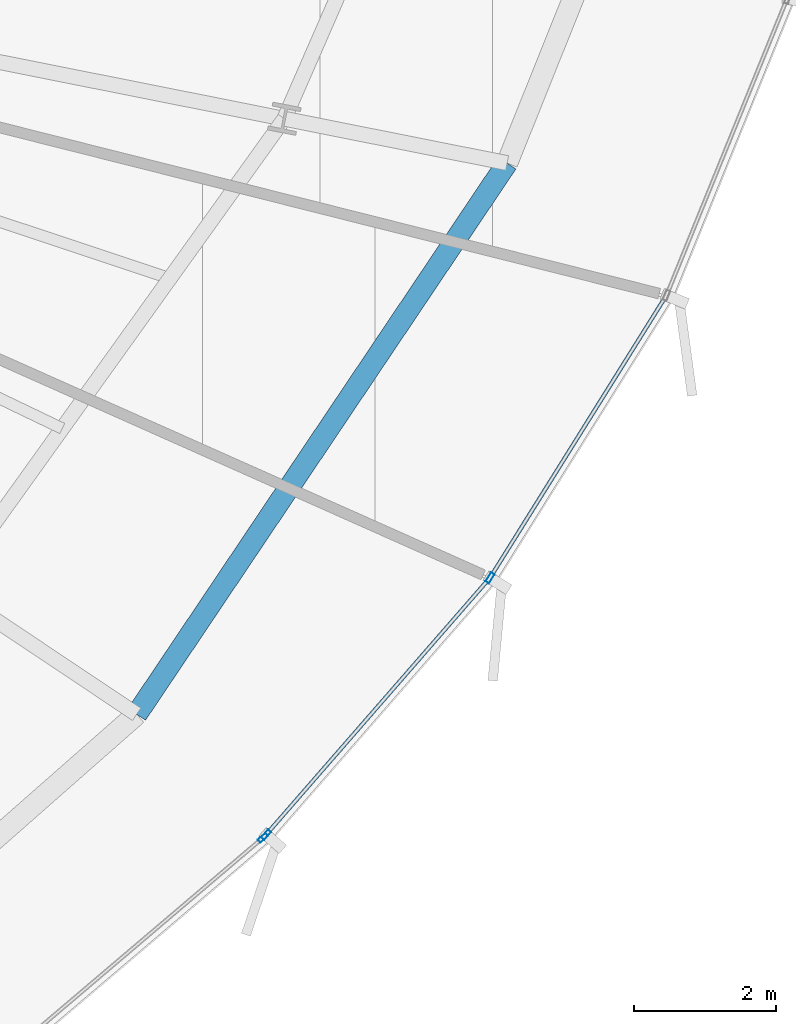
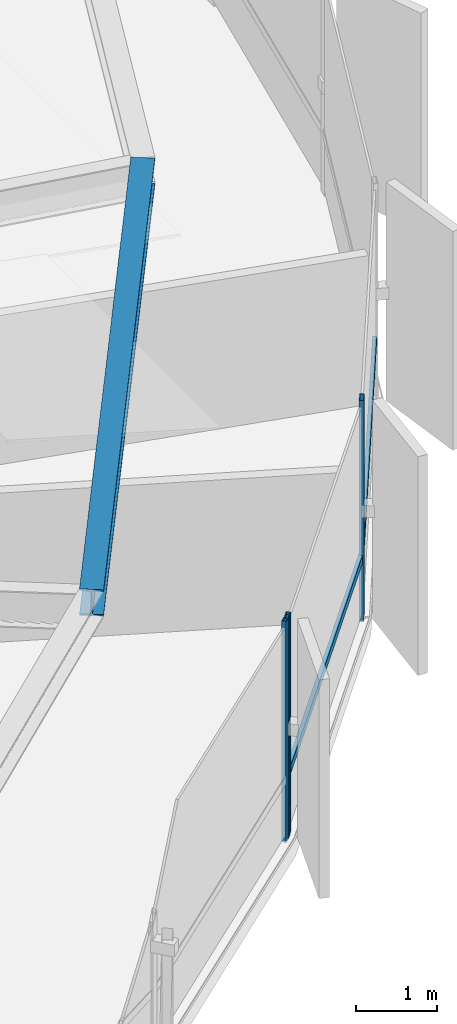
# One storey, part 14 of 33: 5 members, 1 beam, 2 elements without a shape of their own.
"""IFC4 building model written with IfcOpenShell, lengths in metres."""

from ifc_helpers import new_model, si_unit, direction, frame, origin, origin_2d, place, context, subcontext, project, spatial, hollow_rectangle, i_section, extrude, source, transform, mapped, material, layer, layer_set, material_profile, profile_set, type_object, element, aggregate, save


model = new_model("IFC4")

# Units and contexts
model_context = context("Model", 3, precision=1e-05, world=origin(), true_north=direction((0.0, 1.0)))
body_context = subcontext(model_context, "Body", "Model", "MODEL_VIEW")
ifc_project = project(units=[si_unit("LENGTHUNIT", "METRE"), si_unit("AREAUNIT", "SQUARE_METRE"), si_unit("VOLUMEUNIT", "CUBIC_METRE"), si_unit("PLANEANGLEUNIT", "RADIAN"), si_unit("MASSUNIT", "GRAM", prefix="KILO"), si_unit("THERMODYNAMICTEMPERATUREUNIT", "KELVIN")], contexts=[model_context])

# Site, building, storey
site_placement = place(None, origin())
site = spatial("IfcSite", under=ifc_project, at=site_placement, CompositionType="ELEMENT")
building_placement = place(site_placement, origin())
building = spatial("IfcBuilding", under=site, at=building_placement, Name="Kethvar Cultural Tower", CompositionType="ELEMENT")
storey_placement = place(building_placement, frame((0.0, 0.0, 114.39990234375)))
storey = spatial("IfcBuildingStorey", under=building, at=storey_placement, Name="L28", CompositionType="ELEMENT", Elevation=114.39990234375)

# Beam
ifc_material_1 = material(Name="Steel S355J2", Category="steel")
ifc_material_profile_1 = material_profile(ifc_material_1, i_section(OverallWidth=0.300048828125, OverallDepth=0.39990234375, WebThickness=0.013427734375, FlangeThickness=0.02392578125, FilletRadius=0.027099609375, at=origin_2d()), Name="Steel S355J2 — HEB400")
ifc_profile_set_1 = profile_set([ifc_material_profile_1], Name="Steel S355J2 — HEB400")
beam_type = type_object("IfcBeamType", Name="BM-SP400", PredefinedType="SPANDREL", material=ifc_profile_set_1)
shared_shape_1 = source(origin(), body_context, "Body", "SweptSolid", [
    extrude(i_section(OverallWidth=0.300048828125, OverallDepth=0.39990234375, WebThickness=0.013427734375, FlangeThickness=0.02392578125, FilletRadius=0.027099609375, at=origin_2d()), origin(), (0.0, 0.0, 1.0), 9.355224609375),
])
beam_placement = place(storey_placement, frame((65.559326171875, 15.265380859375, 3.148193359375), z_axis=(0.557731714622, 0.830021285573, 0.0), x_axis=(-0.830021285573, 0.557731714622, 0.0)))
element("IfcBeam", 1, at=beam_placement, inside=storey, type_object=beam_type, Name="L28 Perimeter Spandrel Beam SP-15", PredefinedType="SPANDREL", context=body_context, shape_type="MappedRepresentation", body=[
    mapped(shared_shape_1, transform((0.0, 0.0, 0.0), scale=1.0)),
])

# Curtain wall, member
ifc_material_2 = material(Name="Aluminium 6063-T6", Category="aluminium")
ifc_layer = layer(ifc_material_2, 0.179931640625, Name="Aluminium 6063-T6", Category="aluminium")
ifc_layer_set = layer_set([ifc_layer], Name="Aluminium 6063-T6 (180 mm)")
curtain_wall_type = type_object("IfcCurtainWallType", Name="CW-SYS-03-Z2", PredefinedType="NOTDEFINED", material=ifc_layer_set)
curtain_wall_1_placement = place(storey_placement, origin())
curtain_wall_1 = element("IfcCurtainWall", 2, at=curtain_wall_1_placement, inside=storey, type_object=curtain_wall_type, Name="L28 Curtain Wall Run 05", PredefinedType="NOTDEFINED")
ifc_material_profile_2 = material_profile(ifc_material_2, hollow_rectangle(XDim=0.06005859375, YDim=0.14990234375, WallThickness=0.0048828125, at=origin_2d()), Name="Aluminium 6063-T6 — RHS150x60x5")
ifc_profile_set_2 = profile_set([ifc_material_profile_2], Name="Aluminium 6063-T6 — RHS150x60x5")
member_type_1 = type_object("IfcMemberType", Name="CW-SYS-03-Z2-MUL", PredefinedType="MULLION", material=ifc_profile_set_2)
shared_shape_2 = source(origin(), body_context, "Body", "SweptSolid", [
    extrude(hollow_rectangle(XDim=0.06005859375, YDim=0.14990234375, WallThickness=0.0048828125, at=origin_2d()), origin(), (0.0, 0.0, 1.0), 3.35009765625),
])
member_1_placement = place(storey_placement, frame((67.338134765625, 13.526123046875, 0.0), z_axis=(0.0, 0.0, 1.0), x_axis=(-0.647614687225, 0.761967989414, 0.0)))
member_1 = element("IfcMember", 3, at=member_1_placement, type_object=member_type_1, Name="CW-L28-R05 Mullion 7", PredefinedType="MULLION", context=body_context, shape_type="MappedRepresentation", body=[
    mapped(shared_shape_2, transform((0.0, 0.0, 0.0), scale=1.0)),
])
aggregate(curtain_wall_1, [member_1])

# Curtain wall, members
curtain_wall_2_placement = place(storey_placement, origin())
curtain_wall_2 = element("IfcCurtainWall", 4, at=curtain_wall_2_placement, inside=storey, type_object=curtain_wall_type, Name="L28 Curtain Wall Run 06", PredefinedType="NOTDEFINED")
member_2_placement = place(storey_placement, frame((67.381103515625, 13.56884765625, 0.0), z_axis=(0.0, 0.0, 1.0), x_axis=(-0.753907489863, 0.656980590831, 0.0)))
member_2 = element("IfcMember", 5, at=member_2_placement, type_object=member_type_1, Name="CW-L28-R06 Mullion 1", PredefinedType="MULLION", context=body_context, shape_type="MappedRepresentation", body=[
    mapped(shared_shape_2, transform((0.0, 0.0, 0.0), scale=1.0)),
])
member_3_placement = place(storey_placement, frame((70.535888671875, 17.1865234375, 0.0), z_axis=(0.0, 0.0, 1.0), x_axis=(-0.848223777407, 0.529638011703, 0.0)))
member_3 = element("IfcMember", 6, at=member_3_placement, type_object=member_type_1, Name="CW-L28-R06 Mullion 2", PredefinedType="MULLION", context=body_context, shape_type="MappedRepresentation", body=[
    mapped(shared_shape_2, transform((0.0, 0.0, 0.0), scale=1.0)),
])
ifc_material_profile_3 = material_profile(ifc_material_2, hollow_rectangle(XDim=0.054931640625, YDim=0.1201171875, WallThickness=0.00390625, at=origin_2d()), Name="Aluminium 6063-T6 — RHS120x55x4")
ifc_profile_set_3 = profile_set([ifc_material_profile_3], Name="Aluminium 6063-T6 — RHS120x55x4")
member_type_2 = type_object("IfcMemberType", Name="CW-SYS-03-Z2-TRN", PredefinedType="USERDEFINED", material=ifc_profile_set_3)
shared_shape_3 = source(origin(), body_context, "Body", "SweptSolid", [
    extrude(hollow_rectangle(XDim=0.054931640625, YDim=0.1201171875, WallThickness=0.00390625, at=origin_2d()), origin(), (0.0, 0.0, 1.0), 4.770751953125),
])
member_4_placement = place(storey_placement, frame((67.384033203125, 13.572021484375, 0.9501953125), z_axis=(0.656981605154, 0.753906605946, 0.0), x_axis=(-0.753906605946, 0.656981605154, 0.0)))
member_4 = element("IfcMember", 7, at=member_4_placement, type_object=member_type_2, Name="CW-L28-R06 Transom 1", ObjectType="TRANSOM", PredefinedType="USERDEFINED", context=body_context, shape_type="MappedRepresentation", body=[
    mapped(shared_shape_3, transform((0.0, 0.0, 0.0), scale=1.0)),
])
shared_shape_4 = source(origin(), body_context, "Body", "SweptSolid", [
    extrude(hollow_rectangle(XDim=0.054931640625, YDim=0.1201171875, WallThickness=0.00390625, at=origin_2d()), origin(), (0.0, 0.0, 1.0), 4.625),
])
member_5_placement = place(storey_placement, frame((70.55859375, 17.223388671875, 0.9501953125), z_axis=(0.529652526173, 0.848214714279, 0.0), x_axis=(-0.848214714279, 0.529652526173, 0.0)))
member_5 = element("IfcMember", 8, at=member_5_placement, type_object=member_type_2, Name="CW-L28-R06 Transom 2", ObjectType="TRANSOM", PredefinedType="USERDEFINED", context=body_context, shape_type="MappedRepresentation", body=[
    mapped(shared_shape_4, transform((0.0, 0.0, 0.0), scale=1.0)),
])
aggregate(curtain_wall_2, [member_2, member_3, member_4, member_5])

save(model, "model.ifc")
